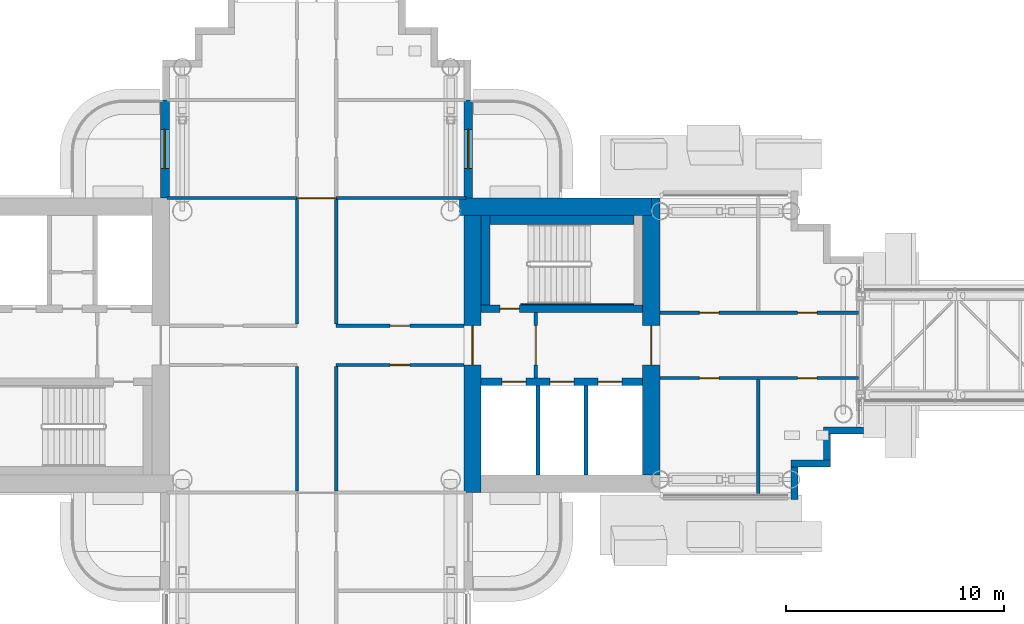
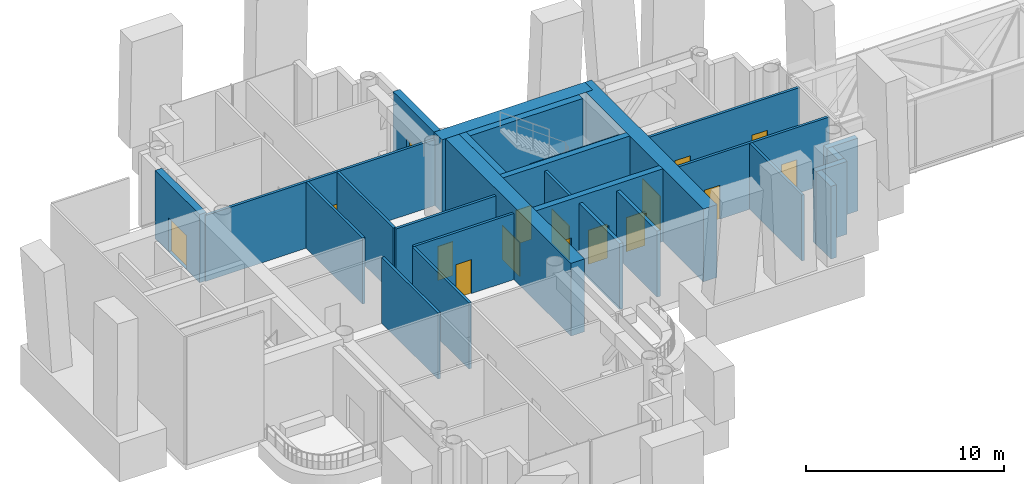
# One storey, part 13 of 26: 27 walls, 16 doors, 16 openings.
"""IFC4 building model written with IfcOpenShell, lengths in metres."""

import ifcopenshell
import ifcopenshell.guid

model = None  # the IFC model being written
_history = None  # IfcOwnerHistory: only IFC2X3 demands one
_inside = {}  # id of a spatial element -> (the spatial element, [elements in it])
_under = {}  # id of a project, library or spatial element -> (it, [spatial elements below it])
_declared = {}  # id of a project -> (the project, [libraries it declares])
_typed = {}  # id of a type object -> (the type object, [elements of that type])
_made_of = {}  # id of a material, layer set ... -> (it, [elements and type objects made of it])


def new_model(schema):
    """Start an empty IFC model of exactly this schema.

    Asked for "IFC4X3", IfcOpenShell would pick the latest addendum, in which some entities
    have other attributes; the version numbers below select the first issue.
    IFC2X3 requires an IfcOwnerHistory on every rooted entity: one is made here for all.
    """
    global model, _history
    if schema == "IFC4X3":
        model = ifcopenshell.file(schema_version=(4, 3, 0, 0))
    else:
        model = ifcopenshell.file(schema=schema)
    _inside.clear()
    _under.clear()
    _declared.clear()
    _typed.clear()
    _made_of.clear()
    _history = None
    if model.schema == "IFC2X3":
        org = make("IfcOrganization", Name="unknown")
        user = make(
            "IfcPersonAndOrganization",
            ThePerson=make("IfcPerson", FamilyName="unknown"),
            TheOrganization=org,
        )
        app = make(
            "IfcApplication",
            ApplicationDeveloper=org,
            Version="unknown",
            ApplicationFullName="unknown",
            ApplicationIdentifier="unknown",
        )
        _history = make(
            "IfcOwnerHistory",
            OwningUser=user,
            OwningApplication=app,
            ChangeAction="ADDED",
            CreationDate=0,
        )
    return model


def make(cls, **values):
    """One entity of the class cls with the attributes given. An attribute that is None is left unset."""
    return model.create_entity(
        cls, **{name: value for name, value in values.items() if value is not None}
    )


def rooted(cls, **values):
    """An entity with a GlobalId (a new one), such as an element, a storey or a relation."""
    return make(cls, GlobalId=ifcopenshell.guid.new(), OwnerHistory=_history, **values)


def si_unit(unit_type, name, prefix=None):
    """IfcSIUnit, for example si_unit("LENGTHUNIT", "METRE", prefix="MILLI")."""
    return make("IfcSIUnit", UnitType=unit_type, Prefix=prefix, Name=name)


def assignment(units):
    """IfcUnitAssignment: the units of a project."""
    return None if units is None else make("IfcUnitAssignment", Units=units)


def point(xyz):
    """IfcCartesianPoint."""
    return None if xyz is None else make("IfcCartesianPoint", Coordinates=xyz)


def direction(xyz):
    """IfcDirection."""
    return None if xyz is None else make("IfcDirection", DirectionRatios=xyz)


def frame(location, z_axis=None, x_axis=None):
    """IfcAxis2Placement3D, a coordinate frame: its origin and axes. An axis left out is left unset."""
    return make(
        "IfcAxis2Placement3D",
        Location=point(location),
        Axis=direction(z_axis),
        RefDirection=direction(x_axis),
    )


def frame_2d(location, x_axis=None):
    """IfcAxis2Placement2D, a coordinate frame in the plane: its origin and x axis."""
    return make(
        "IfcAxis2Placement2D", Location=point(location), RefDirection=direction(x_axis)
    )


def origin():
    """The frame at (0, 0, 0) with its axes left unset."""
    return frame((0.0, 0.0, 0.0))


def place(relative_to, where):
    """IfcLocalPlacement: puts the frame where relative to a parent placement (None: the world)."""
    return make(
        "IfcLocalPlacement", PlacementRelTo=relative_to, RelativePlacement=where
    )


def context(
    kind, dimensions, precision=None, world=None, true_north=None, identifier=None
):
    """IfcGeometricRepresentationContext, for example the 3D "Model" context."""
    return make(
        "IfcGeometricRepresentationContext",
        ContextIdentifier=identifier,
        ContextType=kind,
        CoordinateSpaceDimension=dimensions,
        Precision=precision,
        WorldCoordinateSystem=world,
        TrueNorth=true_north,
    )


def subcontext(parent, identifier, kind, view, scale=None):
    """IfcGeometricRepresentationSubContext, for example "Body" below "Model"."""
    return make(
        "IfcGeometricRepresentationSubContext",
        ContextIdentifier=identifier,
        ContextType=kind,
        ParentContext=parent,
        TargetScale=scale,
        TargetView=view,
    )


def project(units=None, contexts=None):
    """IfcProject with its units and contexts."""
    return rooted(
        "IfcProject",
        Name="project",
        RepresentationContexts=contexts,
        UnitsInContext=assignment(units),
    )


def spatial(cls, under=None, at=None, **own):
    """A site, building, storey or space (cls), placed at a placement, below another one or the project."""
    s = rooted(cls, ObjectPlacement=at, **own)
    if under is not None:
        _under.setdefault(under.id(), (under, []))[1].append(s)
    return s


def profile(cls, at=None, kind="AREA", **sizes):
    """A parametric profile (cls). Its sizes go by their IFC names, for example OverallWidth=200.0."""
    return make(cls, ProfileType=kind, Position=at, **sizes)


def rectangle(**sizes):
    """IfcRectangleProfileDef."""
    return profile("IfcRectangleProfileDef", **sizes)


def extrude(swept, where, along, depth):
    """IfcExtrudedAreaSolid: the profile swept, set in the frame where, extruded along a direction by depth."""
    return make(
        "IfcExtrudedAreaSolid",
        SweptArea=swept,
        Position=where,
        ExtrudedDirection=direction(along),
        Depth=depth,
    )


def shape(context_of_items, identifier, shape_type, items):
    """IfcShapeRepresentation: the items that make up one representation, for example the "Body"."""
    return make(
        "IfcShapeRepresentation",
        ContextOfItems=context_of_items,
        RepresentationIdentifier=identifier,
        RepresentationType=shape_type,
        Items=items,
    )


def material(Name=None, Category=None):
    """IfcMaterial."""
    return make("IfcMaterial", Name=Name, Category=Category)


def layer(
    of_material, thickness, ventilated=None, Name=None, Category=None, Priority=None
):
    """IfcMaterialLayer: one layer of a wall or slab, of a material (None: an air gap)."""
    return make(
        "IfcMaterialLayer",
        Material=of_material,
        LayerThickness=thickness,
        IsVentilated=ventilated,
        Name=Name,
        Category=Category,
        Priority=Priority,
    )


def layer_set(layers, Name=None):
    """IfcMaterialLayerSet."""
    return make("IfcMaterialLayerSet", MaterialLayers=layers, LayerSetName=Name)


def made_of(thing, what):
    """Note that an element or type object is made of a material, layer set ...; save() writes the relation."""
    if what is not None:
        _made_of.setdefault(what.id(), (what, []))[1].append(thing)
    return thing


def type_object(cls, material=None, **own):
    """A type object (cls), such as IfcWallType, which elements share."""
    return made_of(rooted(cls, **own), material)


def element(
    cls,
    number,
    at=None,
    inside=None,
    cuts=None,
    type_object=None,
    material=None,
    context=None,
    identifier="Body",
    shape_type=None,
    held_by="IfcProductDefinitionShape",
    body=None,
    shapes=None,
    **own,
):
    """One element of the class cls, such as IfcWall. Its Tag is "e" and its number.

    at: its placement. inside: the storey or other place that contains it. cuts: it is an
    opening in that element (IfcRelVoidsElement). A single representation is given by context,
    identifier, shape_type and body (its items); several are given by shapes. held_by: the class
    of the entity that holds the representations. save() writes the other relations.
    """
    e = rooted(cls, Tag="e%d" % number, ObjectPlacement=at, **own)
    if body is not None:
        shapes = [shape(context, identifier, shape_type, body)]
    if shapes is not None:
        e.Representation = make(held_by, Representations=shapes)
    if inside is not None:
        _inside.setdefault(inside.id(), (inside, []))[1].append(e)
    if cuts is not None:
        rooted(
            "IfcRelVoidsElement", RelatingBuildingElement=cuts, RelatedOpeningElement=e
        )
    if type_object is not None:
        _typed.setdefault(type_object.id(), (type_object, []))[1].append(e)
    return made_of(e, material)


def fill(opening, filler):
    """IfcRelFillsElement: the door or window that sits in an opening."""
    return rooted(
        "IfcRelFillsElement",
        RelatingOpeningElement=opening,
        RelatedBuildingElement=filler,
    )


def aggregate(whole, parts):
    """IfcRelAggregates: a whole, such as a stair, and the parts it consists of."""
    return rooted("IfcRelAggregates", RelatingObject=whole, RelatedObjects=parts)


def save(model, path):
    """Write the relations noted so far, then the file.

    IfcRelAggregates (storeys below a building ...), IfcRelContainedInSpatialStructure (elements
    in a storey), IfcRelDefinesByType, IfcRelAssociatesMaterial and IfcRelDeclares: one each for
    every whole, place, type object, material and project.
    """
    for whole, parts in _under.values():
        aggregate(whole, parts)
    for where, things in _inside.values():
        rooted(
            "IfcRelContainedInSpatialStructure",
            RelatedElements=things,
            RelatingStructure=where,
        )
    for kind, things in _typed.values():
        rooted("IfcRelDefinesByType", RelatedObjects=things, RelatingType=kind)
    for what, things in _made_of.values():
        rooted("IfcRelAssociatesMaterial", RelatedObjects=things, RelatingMaterial=what)
    for by, libraries in _declared.values():
        rooted("IfcRelDeclares", RelatingContext=by, RelatedDefinitions=libraries)
    model.write(path)


model = new_model("IFC4")

# Units and contexts
model_context = context("Model", 3, precision=1e-05, world=origin(), true_north=direction((0.0, 1.0)))
body_context = subcontext(model_context, "Body", "Model", "MODEL_VIEW")
ifc_project = project(units=[si_unit("LENGTHUNIT", "METRE"), si_unit("AREAUNIT", "SQUARE_METRE"), si_unit("VOLUMEUNIT", "CUBIC_METRE"), si_unit("PLANEANGLEUNIT", "RADIAN"), si_unit("MASSUNIT", "GRAM", prefix="KILO")], contexts=[model_context])

# Site, building, storey
site_placement = place(None, origin())
site = spatial("IfcSite", under=ifc_project, at=site_placement, CompositionType="ELEMENT")
building_placement = place(site_placement, origin())
building = spatial("IfcBuilding", under=site, at=building_placement, Name="Ipe Terrace Towers", CompositionType="ELEMENT")
storey_placement = place(building_placement, frame((0.0, 0.0, 181.300048828125)))
storey = spatial("IfcBuildingStorey", under=building, at=storey_placement, Name="L50", CompositionType="ELEMENT", Elevation=181.300048828125)

# Wall, opening, door
ifc_material_1 = material(Name="Concrete C40/50 with buff precast cladding", Category="concrete")
ifc_layer_1 = layer(ifc_material_1, 0.39990234375)
ifc_layer_set_1 = layer_set([ifc_layer_1], Name="BALCONY BAY WALL 400")
wall_type_1 = type_object("IfcWallType", Name="BALCONY BAY WALL 400", PredefinedType="STANDARD", material=ifc_layer_set_1)
wall_1_placement = place(storey_placement, frame((-29.050048828125, 6.75, -0.02001953125), z_axis=(0.0, 0.0, 1.0), x_axis=(0.0, 1.0, 0.0)))
wall_1 = element("IfcWall", 1, at=wall_1_placement, inside=storey, type_object=wall_type_1, Name="T1-W-L50-28a wall", PredefinedType="STANDARD", context=body_context, shape_type="SweptSolid", body=[
    extrude(rectangle(XDim=4.5, YDim=0.39990234375, at=frame_2d((2.25, 0.0))), origin(), (0.0, 0.0, 1.0), 4.219970703125),
])
opening_1_placement = place(wall_1_placement, frame((1.35009765625, 0.0, 0.02001953125)))
opening_1 = element("IfcOpeningElement", 2, at=opening_1_placement, cuts=wall_1, Name="Opening T1-D-L50-28", PredefinedType="OPENING", context=body_context, shape_type="SweptSolid", body=[
    extrude(rectangle(XDim=1.800048828125, YDim=2.10009765625, at=frame_2d((0.89990234375, 1.050048828125))), frame((0.0, 0.2099609375, 0.0), z_axis=(0.0, -1.0, 0.0), x_axis=(1.0, 0.0, 0.0)), (0.0, 0.0, 1.0), 0.419921875),
])
ifc_material_2 = material(Name="Aluminium alloy 6063-T6 framed glazed door", Category="aluminium")
door_type_1 = type_object("IfcDoorType", Name="BALCONY DOOR 1800 x 2100 LEFT", OperationType="SINGLE_SWING_LEFT", PredefinedType="DOOR", material=ifc_material_2)
door_1_placement = place(opening_1_placement, origin())
door_1 = element("IfcDoor", 3, at=door_1_placement, inside=storey, type_object=door_type_1, Name="DB1 door", OperationType="SINGLE_SWING_LEFT", OverallHeight=2.10009765625, OverallWidth=1.800048828125, PredefinedType="DOOR", context=body_context, shape_type="SweptSolid", body=[
    extrude(rectangle(XDim=1.800048828125, YDim=2.10009765625, at=frame_2d((0.89990234375, 1.050048828125))), frame((0.0, 0.02490234375, 0.0), z_axis=(0.0, -1.0, 0.0), x_axis=(1.0, 0.0, 0.0)), (0.0, 0.0, 1.0), 0.050048828125),
])
fill(opening_1, door_1)

wall_2_placement = place(storey_placement, frame((-42.949951171875, 11.25, -0.02001953125), z_axis=(0.0, 0.0, 1.0), x_axis=(0.0, -1.0, 0.0)))
wall_2 = element("IfcWall", 4, at=wall_2_placement, inside=storey, type_object=wall_type_1, Name="T1-W-L50-40a wall", PredefinedType="STANDARD", context=body_context, shape_type="SweptSolid", body=[
    extrude(rectangle(XDim=4.5, YDim=0.39990234375, at=frame_2d((2.25, 0.0))), origin(), (0.0, 0.0, 1.0), 4.219970703125),
])
opening_2_placement = place(wall_2_placement, frame((1.35009765625, 0.0, 0.02001953125)))
opening_2 = element("IfcOpeningElement", 5, at=opening_2_placement, cuts=wall_2, Name="Opening T1-D-L50-40", PredefinedType="OPENING", context=body_context, shape_type="SweptSolid", body=[
    extrude(rectangle(XDim=1.800048828125, YDim=2.10009765625, at=frame_2d((0.89990234375, 1.050048828125))), frame((0.0, 0.2099609375, 0.0), z_axis=(0.0, -1.0, 0.0), x_axis=(1.0, 0.0, 0.0)), (0.0, 0.0, 1.0), 0.419921875),
])
door_2_placement = place(opening_2_placement, origin())
door_2 = element("IfcDoor", 6, at=door_2_placement, inside=storey, type_object=door_type_1, Name="DB1 door", OperationType="SINGLE_SWING_LEFT", OverallHeight=2.10009765625, OverallWidth=1.800048828125, PredefinedType="DOOR", context=body_context, shape_type="SweptSolid", body=[
    extrude(rectangle(XDim=1.800048828125, YDim=2.10009765625, at=frame_2d((0.89990234375, 1.050048828125))), frame((0.0, 0.02490234375, 0.0), z_axis=(0.0, -1.0, 0.0), x_axis=(1.0, 0.0, 0.0)), (0.0, 0.0, 1.0), 0.050048828125),
])
fill(opening_2, door_2)

# Walls
ifc_material_3 = material(Name="Concrete C40/50 with buff precast cladding", Category="concrete")
ifc_layer_2 = layer(ifc_material_3, 0.320068359375)
ifc_layer_set_2 = layer_set([ifc_layer_2], Name="BUFF CLADDING WALL 320")
wall_type_2 = type_object("IfcWallType", Name="BUFF CLADDING WALL 320", PredefinedType="STANDARD", material=ifc_layer_set_2)
wall_3_placement = place(storey_placement, frame((-14.090087890625, -7.070068359375, -0.300048828125), z_axis=(0.0, 0.0, 1.0), x_axis=(0.0, 1.0, 0.0)))
element("IfcWall", 7, at=wall_3_placement, inside=storey, type_object=wall_type_2, Name="T1-W-L50-17a wall", PredefinedType="STANDARD", context=body_context, shape_type="SweptSolid", body=[
    extrude(rectangle(XDim=1.5, YDim=0.320068359375, at=frame_2d((0.75, 0.0))), origin(), (0.0, 0.0, 1.0), 4.5),
])
wall_4_placement = place(storey_placement, frame((-14.25, -5.409912109375, -0.300048828125), z_axis=(0.0, 0.0, 1.0), x_axis=(1.0, 0.0, 0.0)))
element("IfcWall", 8, at=wall_4_placement, inside=storey, type_object=wall_type_2, Name="T1-W-L50-18a wall", PredefinedType="STANDARD", context=body_context, shape_type="SweptSolid", body=[
    extrude(rectangle(XDim=1.820068359375, YDim=0.320068359375, at=frame_2d((0.91015625, 0.0))), origin(), (0.0, 0.0, 1.0), 4.5),
])
wall_5_placement = place(storey_placement, frame((-12.590087890625, -5.25, -0.300048828125), z_axis=(0.0, 0.0, 1.0), x_axis=(0.0, 1.0, 0.0)))
element("IfcWall", 9, at=wall_5_placement, inside=storey, type_object=wall_type_2, Name="T1-W-L50-19a wall", PredefinedType="STANDARD", context=body_context, shape_type="SweptSolid", body=[
    extrude(rectangle(XDim=1.179931640625, YDim=0.320068359375, at=frame_2d((0.58984375, 0.0))), origin(), (0.0, 0.0, 1.0), 4.5),
])
wall_6_placement = place(storey_placement, frame((-12.75, -3.909912109375, -0.300048828125), z_axis=(0.0, 0.0, 1.0), x_axis=(1.0, 0.0, 0.0)))
element("IfcWall", 10, at=wall_6_placement, inside=storey, type_object=wall_type_2, Name="T1-W-L50-20a wall", PredefinedType="STANDARD", context=body_context, shape_type="SweptSolid", body=[
    extrude(rectangle(XDim=1.820068359375, YDim=0.320068359375, at=frame_2d((0.91015625, 0.0))), origin(), (0.0, 0.0, 1.0), 4.5),
])

# Wall, opening, door
ifc_material_4 = material(Name="Gypsum board partition", Category="plasterboard")
ifc_layer_3 = layer(ifc_material_4, 0.14990234375)
ifc_layer_set_3 = layer_set([ifc_layer_3], Name="Gypsum board partition 150 mm")
wall_type_3 = type_object("IfcWallType", Name="Gypsum board partition 150 mm", PredefinedType="PARTITIONING", material=ifc_layer_set_3)
wall_7_placement = place(storey_placement, frame((-25.949951171875, -1.5, 0.0), z_axis=(0.0, 0.0, 1.0), x_axis=(0.0, 1.0, 0.0)))
wall_7 = element("IfcWall", 11, at=wall_7_placement, inside=storey, type_object=wall_type_3, Name="Gypsum board partition T1 L50 t1c1-lobby-wall", PredefinedType="PARTITIONING", context=body_context, shape_type="SweptSolid", body=[
    extrude(rectangle(XDim=3.0, YDim=0.14990234375, at=frame_2d((1.5, 0.0))), origin(), (0.0, 0.0, 1.0), 4.079833984375),
])
opening_3_placement = place(wall_7_placement, frame((0.60009765625, 0.0, 0.0)))
opening_3 = element("IfcOpeningElement", 12, at=opening_3_placement, cuts=wall_7, Name="Opening T1C1-VD", PredefinedType="OPENING", context=body_context, shape_type="SweptSolid", body=[
    extrude(rectangle(XDim=1.800048828125, YDim=2.10009765625, at=frame_2d((0.89990234375, 1.050048828125))), frame((0.0, 0.0849609375, 0.0), z_axis=(0.0, -1.0, 0.0), x_axis=(1.0, 0.0, 0.0)), (0.0, 0.0, 1.0), 0.169921875),
])
ifc_material_5 = material(Name="Fire-rated timber door leaf", Category="wood")
door_type_2 = type_object("IfcDoorType", Name="Lobby door 1800 x 2100 FD60", OperationType="NOTDEFINED", PredefinedType="DOOR", material=ifc_material_5)
door_3_placement = place(opening_3_placement, origin())
door_3 = element("IfcDoor", 13, at=door_3_placement, inside=storey, type_object=door_type_2, Name="Lobby door T1C1-VD", OperationType="SINGLE_SWING_LEFT", OverallHeight=2.10009765625, OverallWidth=1.800048828125, PredefinedType="DOOR", context=body_context, shape_type="SweptSolid", body=[
    extrude(rectangle(XDim=1.800048828125, YDim=2.10009765625, at=frame_2d((0.89990234375, 1.050048828125))), frame((0.0, 0.02490234375, 0.0), z_axis=(0.0, -1.0, 0.0), x_axis=(1.0, 0.0, 0.0)), (0.0, 0.0, 1.0), 0.050048828125),
])
fill(opening_3, door_3)

wall_8_placement = place(storey_placement, frame((-35.10009765625, 0.89990234375, 0.0), z_axis=(0.0, 0.0, 1.0), x_axis=(1.0, 0.0, 0.0)))
wall_8 = element("IfcWall", 14, at=wall_8_placement, inside=storey, type_object=wall_type_3, Name="Gypsum board partition T1 L50 sp-hub-qen-x", PredefinedType="PARTITIONING", context=body_context, shape_type="SweptSolid", body=[
    extrude(rectangle(XDim=5.85009765625, YDim=0.14990234375, at=frame_2d((2.925048828125, 0.0))), origin(), (0.0, 0.0, 1.0), 4.079833984375),
])
opening_4_placement = place(wall_8_placement, frame((2.47509765625, 0.0, 0.0)))
opening_4 = element("IfcOpeningElement", 15, at=opening_4_placement, cuts=wall_8, Name="Opening T1-SP-HEN", PredefinedType="OPENING", context=body_context, shape_type="SweptSolid", body=[
    extrude(rectangle(XDim=0.89990234375, YDim=2.10009765625, at=frame_2d((0.449951171875, 1.050048828125))), frame((0.0, 0.0849609375, 0.0), z_axis=(0.0, -1.0, 0.0), x_axis=(1.0, 0.0, 0.0)), (0.0, 0.0, 1.0), 0.169921875),
])
ifc_material_6 = material(Name="Fire-rated timber door leaf", Category="wood")
door_type_3 = type_object("IfcDoorType", Name="Lounge door 900 x 2100 FD30S", OperationType="NOTDEFINED", PredefinedType="DOOR", material=ifc_material_6)
door_4_placement = place(opening_4_placement, origin())
door_4 = element("IfcDoor", 16, at=door_4_placement, inside=storey, type_object=door_type_3, Name="Lounge door T1-SP-HEN", OperationType="SINGLE_SWING_LEFT", OverallHeight=2.10009765625, OverallWidth=0.89990234375, PredefinedType="DOOR", context=body_context, shape_type="SweptSolid", body=[
    extrude(rectangle(XDim=0.89990234375, YDim=2.10009765625, at=frame_2d((0.449951171875, 1.050048828125))), frame((0.0, 0.02490234375, 0.0), z_axis=(0.0, -1.0, 0.0), x_axis=(1.0, 0.0, 0.0)), (0.0, 0.0, 1.0), 0.050048828125),
])
fill(opening_4, door_4)

# Wall
wall_9_placement = place(storey_placement, frame((-35.10009765625, 0.97509765625, 0.0), z_axis=(0.0, 0.0, 1.0), x_axis=(0.0, 1.0, 0.0)))
element("IfcWall", 17, at=wall_9_placement, inside=storey, type_object=wall_type_3, Name="Gypsum board partition T1 L50 sp-hub-qen-y", PredefinedType="PARTITIONING", context=body_context, shape_type="SweptSolid", body=[
    extrude(rectangle(XDim=5.699951171875, YDim=0.14990234375, at=frame_2d((2.85009765625, 0.0))), origin(), (0.0, 0.0, 1.0), 4.079833984375),
])

# Wall, opening, door
wall_10_placement = place(storey_placement, frame((-35.10009765625, -0.89990234375, 0.0), z_axis=(0.0, 0.0, 1.0), x_axis=(1.0, 0.0, 0.0)))
wall_10 = element("IfcWall", 18, at=wall_10_placement, inside=storey, type_object=wall_type_3, Name="Gypsum board partition T1 L50 sp-hub-qes-x", PredefinedType="PARTITIONING", context=body_context, shape_type="SweptSolid", body=[
    extrude(rectangle(XDim=5.85009765625, YDim=0.14990234375, at=frame_2d((2.925048828125, 0.0))), origin(), (0.0, 0.0, 1.0), 4.079833984375),
])
opening_5_placement = place(wall_10_placement, frame((2.47509765625, 0.0, 0.0)))
opening_5 = element("IfcOpeningElement", 19, at=opening_5_placement, cuts=wall_10, Name="Opening T1-SP-HES", PredefinedType="OPENING", context=body_context, shape_type="SweptSolid", body=[
    extrude(rectangle(XDim=0.89990234375, YDim=2.10009765625, at=frame_2d((0.449951171875, 1.050048828125))), frame((0.0, 0.0849609375, 0.0), z_axis=(0.0, -1.0, 0.0), x_axis=(1.0, 0.0, 0.0)), (0.0, 0.0, 1.0), 0.169921875),
])
door_5_placement = place(opening_5_placement, origin())
door_5 = element("IfcDoor", 20, at=door_5_placement, inside=storey, type_object=door_type_3, Name="Lounge door T1-SP-HES", OperationType="SINGLE_SWING_RIGHT", OverallHeight=2.10009765625, OverallWidth=0.89990234375, PredefinedType="DOOR", context=body_context, shape_type="SweptSolid", body=[
    extrude(rectangle(XDim=0.89990234375, YDim=2.10009765625, at=frame_2d((0.449951171875, 1.050048828125))), frame((0.0, 0.02490234375, 0.0), z_axis=(0.0, -1.0, 0.0), x_axis=(1.0, 0.0, 0.0)), (0.0, 0.0, 1.0), 0.050048828125),
])
fill(opening_5, door_5)

# Walls
for number, where, z_axis, x_axis, name in (
    (21, (-35.10009765625, -6.675048828125, 0.0), (0.0, 0.0, 1.0), (0.0, 1.0, 0.0), "Gypsum board partition T1 L50 sp-hub-qes-y"),
    (22, (-36.89990234375, 0.97509765625, 0.0), (0.0, 0.0, 1.0), (0.0, 1.0, 0.0), "Gypsum board partition T1 L50 sp-hub-qwn-y"),
    (23, (-36.89990234375, -6.675048828125, 0.0), (0.0, 0.0, 1.0), (0.0, 1.0, 0.0), "Gypsum board partition T1 L50 sp-hub-qws-y"),
):
    element("IfcWall", number, at=place(storey_placement, frame(where, z_axis=z_axis, x_axis=x_axis)), inside=storey, type_object=wall_type_3, Name=name, PredefinedType="PARTITIONING", context=body_context, shape_type="SweptSolid", body=[
        extrude(rectangle(XDim=5.699951171875, YDim=0.14990234375, at=frame_2d((2.85009765625, 0.0))), origin(), (0.0, 0.0, 1.0), 4.079833984375),
    ])

# Wall, openings, doors
wall_11_placement = place(storey_placement, frame((-20.25, 1.5, 0.0), z_axis=(0.0, 0.0, 1.0), x_axis=(1.0, 0.0, 0.0)))
wall_11 = element("IfcWall", 24, at=wall_11_placement, inside=storey, type_object=wall_type_3, Name="Gypsum board partition T1 L50 sp-Lp-wp", PredefinedType="PARTITIONING", context=body_context, shape_type="SweptSolid", body=[
    extrude(rectangle(XDim=9.10009765625, YDim=0.14990234375, at=frame_2d((4.550048828125, 0.0))), origin(), (0.0, 0.0, 1.0), 4.079833984375),
])
opening_6_placement = place(wall_11_placement, frame((1.800048828125, 0.0, 0.0)))
opening_6 = element("IfcOpeningElement", 25, at=opening_6_placement, cuts=wall_11, Name="Opening T1-SP-PLp1", PredefinedType="OPENING", context=body_context, shape_type="SweptSolid", body=[
    extrude(rectangle(XDim=0.89990234375, YDim=2.10009765625, at=frame_2d((0.449951171875, 1.050048828125))), frame((0.0, 0.0849609375, 0.0), z_axis=(0.0, -1.0, 0.0), x_axis=(1.0, 0.0, 0.0)), (0.0, 0.0, 1.0), 0.169921875),
])
opening_7_placement = place(wall_11_placement, frame((6.300048828125, 0.0, 0.0)))
opening_7 = element("IfcOpeningElement", 26, at=opening_7_placement, cuts=wall_11, Name="Opening T1-SP-PLp2", PredefinedType="OPENING", context=body_context, shape_type="SweptSolid", body=[
    extrude(rectangle(XDim=0.89990234375, YDim=2.10009765625, at=frame_2d((0.449951171875, 1.050048828125))), frame((0.0, 0.0849609375, 0.0), z_axis=(0.0, -1.0, 0.0), x_axis=(1.0, 0.0, 0.0)), (0.0, 0.0, 1.0), 0.169921875),
])
door_6_placement = place(opening_6_placement, origin())
door_6 = element("IfcDoor", 27, at=door_6_placement, inside=storey, type_object=door_type_3, Name="Lounge door T1-SP-PLp1", OperationType="SINGLE_SWING_RIGHT", OverallHeight=2.10009765625, OverallWidth=0.89990234375, PredefinedType="DOOR", context=body_context, shape_type="SweptSolid", body=[
    extrude(rectangle(XDim=0.89990234375, YDim=2.10009765625, at=frame_2d((0.449951171875, 1.050048828125))), frame((0.0, 0.02490234375, 0.0), z_axis=(0.0, -1.0, 0.0), x_axis=(1.0, 0.0, 0.0)), (0.0, 0.0, 1.0), 0.050048828125),
])
fill(opening_6, door_6)
door_7_placement = place(opening_7_placement, origin())
door_7 = element("IfcDoor", 28, at=door_7_placement, inside=storey, type_object=door_type_3, Name="Lounge door T1-SP-PLp2", OperationType="SINGLE_SWING_LEFT", OverallHeight=2.10009765625, OverallWidth=0.89990234375, PredefinedType="DOOR", context=body_context, shape_type="SweptSolid", body=[
    extrude(rectangle(XDim=0.89990234375, YDim=2.10009765625, at=frame_2d((0.449951171875, 1.050048828125))), frame((0.0, 0.02490234375, 0.0), z_axis=(0.0, -1.0, 0.0), x_axis=(1.0, 0.0, 0.0)), (0.0, 0.0, 1.0), 0.050048828125),
])
fill(opening_7, door_7)

wall_12_placement = place(storey_placement, frame((-20.25, -1.5, 0.0), z_axis=(0.0, 0.0, 1.0), x_axis=(1.0, 0.0, 0.0)))
wall_12 = element("IfcWall", 29, at=wall_12_placement, inside=storey, type_object=wall_type_3, Name="Gypsum board partition T1 L50 sp-Lp-wm", PredefinedType="PARTITIONING", context=body_context, shape_type="SweptSolid", body=[
    extrude(rectangle(XDim=9.10009765625, YDim=0.14990234375, at=frame_2d((4.550048828125, 0.0))), origin(), (0.0, 0.0, 1.0), 4.079833984375),
])
opening_8_placement = place(wall_12_placement, frame((1.800048828125, 0.0, 0.0)))
opening_8 = element("IfcOpeningElement", 30, at=opening_8_placement, cuts=wall_12, Name="Opening T1-SP-MLp1", PredefinedType="OPENING", context=body_context, shape_type="SweptSolid", body=[
    extrude(rectangle(XDim=0.89990234375, YDim=2.10009765625, at=frame_2d((0.449951171875, 1.050048828125))), frame((0.0, 0.0849609375, 0.0), z_axis=(0.0, -1.0, 0.0), x_axis=(1.0, 0.0, 0.0)), (0.0, 0.0, 1.0), 0.169921875),
])
opening_9_placement = place(wall_12_placement, frame((6.300048828125, 0.0, 0.0)))
opening_9 = element("IfcOpeningElement", 31, at=opening_9_placement, cuts=wall_12, Name="Opening T1-SP-MLp2", PredefinedType="OPENING", context=body_context, shape_type="SweptSolid", body=[
    extrude(rectangle(XDim=0.89990234375, YDim=2.10009765625, at=frame_2d((0.449951171875, 1.050048828125))), frame((0.0, 0.0849609375, 0.0), z_axis=(0.0, -1.0, 0.0), x_axis=(1.0, 0.0, 0.0)), (0.0, 0.0, 1.0), 0.169921875),
])
ifc_material_7 = material(Name="Timber door leaf", Category="wood")
door_type_4 = type_object("IfcDoorType", Name="Lounge door 900 x 2100", OperationType="NOTDEFINED", PredefinedType="DOOR", material=ifc_material_7)
door_8_placement = place(opening_9_placement, origin())
door_8 = element("IfcDoor", 32, at=door_8_placement, inside=storey, type_object=door_type_4, Name="Lounge door T1-SP-MLp2", OperationType="SINGLE_SWING_RIGHT", OverallHeight=2.10009765625, OverallWidth=0.89990234375, PredefinedType="DOOR", context=body_context, shape_type="SweptSolid", body=[
    extrude(rectangle(XDim=0.89990234375, YDim=2.10009765625, at=frame_2d((0.449951171875, 1.050048828125))), frame((0.0, 0.02490234375, 0.0), z_axis=(0.0, -1.0, 0.0), x_axis=(1.0, 0.0, 0.0)), (0.0, 0.0, 1.0), 0.050048828125),
])
fill(opening_9, door_8)
door_9_placement = place(opening_8_placement, origin())
door_9 = element("IfcDoor", 33, at=door_9_placement, inside=storey, type_object=door_type_3, Name="Lounge door T1-SP-MLp1", OperationType="SINGLE_SWING_LEFT", OverallHeight=2.10009765625, OverallWidth=0.89990234375, PredefinedType="DOOR", context=body_context, shape_type="SweptSolid", body=[
    extrude(rectangle(XDim=0.89990234375, YDim=2.10009765625, at=frame_2d((0.449951171875, 1.050048828125))), frame((0.0, 0.02490234375, 0.0), z_axis=(0.0, -1.0, 0.0), x_axis=(1.0, 0.0, 0.0)), (0.0, 0.0, 1.0), 0.050048828125),
])
fill(opening_8, door_9)

# Wall
wall_13_placement = place(storey_placement, frame((-15.75, -1.574951171875, 0.0), z_axis=(0.0, 0.0, 1.0), x_axis=(0.0, -1.0, 0.0)))
element("IfcWall", 34, at=wall_13_placement, inside=storey, type_object=wall_type_3, Name="Gypsum board partition T1 L50 sp-Lp-dm1", PredefinedType="PARTITIONING", context=body_context, shape_type="SweptSolid", body=[
    extrude(rectangle(XDim=5.275146484375, YDim=0.14990234375, at=frame_2d((2.6376953125, 0.0))), origin(), (0.0, 0.0, 1.0), 4.079833984375),
])

# Wall, opening, door
wall_14_placement = place(storey_placement, frame((-42.85009765625, 6.75, 0.0), z_axis=(0.0, 0.0, 1.0), x_axis=(1.0, 0.0, 0.0)))
wall_14 = element("IfcWall", 35, at=wall_14_placement, inside=storey, type_object=wall_type_3, Name="Gypsum board partition T1 L50 sp-Sp-mouth", PredefinedType="PARTITIONING", context=body_context, shape_type="SweptSolid", body=[
    extrude(rectangle(XDim=13.7001953125, YDim=0.14990234375, at=frame_2d((6.85009765625, 0.0))), origin(), (0.0, 0.0, 1.0), 4.079833984375),
])
opening_10_placement = place(wall_14_placement, frame((5.949951171875, 0.0, 0.0)))
opening_10 = element("IfcOpeningElement", 36, at=opening_10_placement, cuts=wall_14, Name="Opening T1-SP-MSp", PredefinedType="OPENING", context=body_context, shape_type="SweptSolid", body=[
    extrude(rectangle(XDim=1.800048828125, YDim=2.10009765625, at=frame_2d((0.89990234375, 1.050048828125))), frame((0.0, 0.0849609375, 0.0), z_axis=(0.0, -1.0, 0.0), x_axis=(1.0, 0.0, 0.0)), (0.0, 0.0, 1.0), 0.169921875),
])
ifc_material_8 = material(Name="Fire-rated timber door leaf", Category="wood")
door_type_5 = type_object("IfcDoorType", Name="Lobby door 1800 x 2100 FD30S", OperationType="NOTDEFINED", PredefinedType="DOOR", material=ifc_material_8)
door_10_placement = place(opening_10_placement, origin())
door_10 = element("IfcDoor", 37, at=door_10_placement, inside=storey, type_object=door_type_5, Name="Lobby door T1-SP-MSp", OperationType="SINGLE_SWING_LEFT", OverallHeight=2.10009765625, OverallWidth=1.800048828125, PredefinedType="DOOR", context=body_context, shape_type="SweptSolid", body=[
    extrude(rectangle(XDim=1.800048828125, YDim=2.10009765625, at=frame_2d((0.89990234375, 1.050048828125))), frame((0.0, 0.02490234375, 0.0), z_axis=(0.0, -1.0, 0.0), x_axis=(1.0, 0.0, 0.0)), (0.0, 0.0, 1.0), 0.050048828125),
])
fill(opening_10, door_10)

# Walls
ifc_material_9 = material(Name="Gypsum board party wall", Category="plasterboard")
ifc_layer_4 = layer(ifc_material_9, 0.199951171875)
ifc_layer_set_4 = layer_set([ifc_layer_4], Name="Gypsum board party wall 200 mm")
wall_type_4 = type_object("IfcWallType", Name="Gypsum board party wall 200 mm", PredefinedType="SOLIDWALL", material=ifc_layer_set_4)
for number, where, z_axis, x_axis, name in (
    (38, (-25.85009765625, -5.949951171875, 0.0), (0.0, 0.0, 1.0), (0.0, 1.0, 0.0), "Gypsum board party wall T1 L50 t1c1-shaft-div1"),
    (39, (-23.64990234375, -5.949951171875, 0.0), (0.0, 0.0, 1.0), (0.0, 1.0, 0.0), "Gypsum board party wall T1 L50 t1c1-shaft-div2"),
):
    element("IfcWall", number, at=place(storey_placement, frame(where, z_axis=z_axis, x_axis=x_axis)), inside=storey, type_object=wall_type_4, Name=name, PredefinedType="SOLIDWALL", context=body_context, shape_type="SweptSolid", body=[
        extrude(rectangle(XDim=4.099853515625, YDim=0.199951171875, at=frame_2d((2.0498046875, 0.0))), origin(), (0.0, 0.0, 1.0), 4.079833984375),
    ])

# Wall, openings, doors
ifc_material_10 = material(Name="Concrete C50/60", Category="concrete")
ifc_layer_5 = layer(ifc_material_10, 0.35009765625)
ifc_layer_set_5 = layer_set([ifc_layer_5], Name="RW350 CORE SPINE WALL 350 C50-60")
wall_type_5 = type_object("IfcWallType", Name="RW350 CORE SPINE WALL 350 C50-60", PredefinedType="SHEAR", material=ifc_layer_set_5)
wall_15_placement = place(storey_placement, frame((-28.449951171875, -1.675048828125, 0.0), z_axis=(0.0, 0.0, 1.0), x_axis=(1.0, 0.0, 0.0)))
wall_15 = element("IfcWall", 40, at=wall_15_placement, inside=storey, type_object=wall_type_5, Name="Core spine wall T1-C1-Z3-SW1", PredefinedType="SHEAR", context=body_context, shape_type="SweptSolid", body=[
    extrude(rectangle(XDim=7.39990234375, YDim=0.35009765625, at=frame_2d((3.699951171875, 0.0))), origin(), (0.0, 0.0, 1.0), 4.5),
])
opening_11_placement = place(wall_15_placement, frame((0.949951171875, 0.0, 0.0)))
opening_11 = element("IfcOpeningElement", 41, at=opening_11_placement, cuts=wall_15, Name="Opening T1C1-LD1", PredefinedType="OPENING", context=body_context, shape_type="SweptSolid", body=[
    extrude(rectangle(XDim=1.10009765625, YDim=2.10009765625, at=frame_2d((0.550048828125, 1.050048828125))), frame((0.0, 0.18505859375, 0.0), z_axis=(0.0, -1.0, 0.0), x_axis=(1.0, 0.0, 0.0)), (0.0, 0.0, 1.0), 0.3701171875),
])
opening_12_placement = place(wall_15_placement, frame((3.14990234375, 0.0, 0.0)))
opening_12 = element("IfcOpeningElement", 42, at=opening_12_placement, cuts=wall_15, Name="Opening T1C1-LD2", PredefinedType="OPENING", context=body_context, shape_type="SweptSolid", body=[
    extrude(rectangle(XDim=1.10009765625, YDim=2.10009765625, at=frame_2d((0.550048828125, 1.050048828125))), frame((0.0, 0.18505859375, 0.0), z_axis=(0.0, -1.0, 0.0), x_axis=(1.0, 0.0, 0.0)), (0.0, 0.0, 1.0), 0.3701171875),
])
opening_13_placement = place(wall_15_placement, frame((5.35009765625, 0.0, 0.0)))
opening_13 = element("IfcOpeningElement", 43, at=opening_13_placement, cuts=wall_15, Name="Opening T1C1-LD3", PredefinedType="OPENING", context=body_context, shape_type="SweptSolid", body=[
    extrude(rectangle(XDim=1.10009765625, YDim=2.10009765625, at=frame_2d((0.550048828125, 1.050048828125))), frame((0.0, 0.18505859375, 0.0), z_axis=(0.0, -1.0, 0.0), x_axis=(1.0, 0.0, 0.0)), (0.0, 0.0, 1.0), 0.3701171875),
])
ifc_material_11 = material(Name="Fire-rated timber door leaf", Category="wood")
door_type_6 = type_object("IfcDoorType", Name="Sliding door 1100 x 2100 FD60", OperationType="SLIDING_TO_LEFT", PredefinedType="DOOR", material=ifc_material_11)
door_11_placement = place(opening_11_placement, origin())
door_11 = element("IfcDoor", 44, at=door_11_placement, inside=storey, type_object=door_type_6, Name="Sliding door T1C1-LD1", OperationType="SLIDING_TO_LEFT", OverallHeight=2.10009765625, OverallWidth=1.10009765625, PredefinedType="DOOR", context=body_context, shape_type="SweptSolid", body=[
    extrude(rectangle(XDim=1.10009765625, YDim=2.10009765625, at=frame_2d((0.550048828125, 1.050048828125))), frame((0.0, 0.02490234375, 0.0), z_axis=(0.0, -1.0, 0.0), x_axis=(1.0, 0.0, 0.0)), (0.0, 0.0, 1.0), 0.050048828125),
])
fill(opening_11, door_11)
door_12_placement = place(opening_12_placement, origin())
door_12 = element("IfcDoor", 45, at=door_12_placement, inside=storey, type_object=door_type_6, Name="Sliding door T1C1-LD2", OperationType="SLIDING_TO_LEFT", OverallHeight=2.10009765625, OverallWidth=1.10009765625, PredefinedType="DOOR", context=body_context, shape_type="SweptSolid", body=[
    extrude(rectangle(XDim=1.10009765625, YDim=2.10009765625, at=frame_2d((0.550048828125, 1.050048828125))), frame((0.0, 0.02490234375, 0.0), z_axis=(0.0, -1.0, 0.0), x_axis=(1.0, 0.0, 0.0)), (0.0, 0.0, 1.0), 0.050048828125),
])
fill(opening_12, door_12)
door_13_placement = place(opening_13_placement, origin())
door_13 = element("IfcDoor", 46, at=door_13_placement, inside=storey, type_object=door_type_6, Name="Sliding door T1C1-LD3", OperationType="SLIDING_TO_LEFT", OverallHeight=2.10009765625, OverallWidth=1.10009765625, PredefinedType="DOOR", context=body_context, shape_type="SweptSolid", body=[
    extrude(rectangle(XDim=1.10009765625, YDim=2.10009765625, at=frame_2d((0.550048828125, 1.050048828125))), frame((0.0, 0.02490234375, 0.0), z_axis=(0.0, -1.0, 0.0), x_axis=(1.0, 0.0, 0.0)), (0.0, 0.0, 1.0), 0.050048828125),
])
fill(opening_13, door_13)

# Wall, opening, door
wall_16_placement = place(storey_placement, frame((-28.449951171875, 1.675048828125, 0.0), z_axis=(0.0, 0.0, 1.0), x_axis=(1.0, 0.0, 0.0)))
wall_16 = element("IfcWall", 47, at=wall_16_placement, inside=storey, type_object=wall_type_5, Name="Core spine wall T1-C1-Z3-SW2", PredefinedType="SHEAR", context=body_context, shape_type="SweptSolid", body=[
    extrude(rectangle(XDim=7.39990234375, YDim=0.35009765625, at=frame_2d((3.699951171875, 0.0))), origin(), (0.0, 0.0, 1.0), 4.5),
])
opening_14_placement = place(wall_16_placement, frame((0.85009765625, 0.0, 0.0)))
opening_14 = element("IfcOpeningElement", 48, at=opening_14_placement, cuts=wall_16, Name="Opening T1C1-SD", PredefinedType="OPENING", context=body_context, shape_type="SweptSolid", body=[
    extrude(rectangle(XDim=0.89990234375, YDim=2.10009765625, at=frame_2d((0.449951171875, 1.050048828125))), frame((0.0, 0.18505859375, 0.0), z_axis=(0.0, -1.0, 0.0), x_axis=(1.0, 0.0, 0.0)), (0.0, 0.0, 1.0), 0.3701171875),
])
ifc_material_12 = material(Name="Fire-rated timber door leaf", Category="wood")
door_type_7 = type_object("IfcDoorType", Name="Stair door 900 x 2100 FD60", OperationType="NOTDEFINED", PredefinedType="DOOR", material=ifc_material_12)
door_14_placement = place(opening_14_placement, origin())
door_14 = element("IfcDoor", 49, at=door_14_placement, inside=storey, type_object=door_type_7, Name="Stair door T1C1-SD", OperationType="SINGLE_SWING_LEFT", OverallHeight=2.10009765625, OverallWidth=0.89990234375, PredefinedType="DOOR", context=body_context, shape_type="SweptSolid", body=[
    extrude(rectangle(XDim=0.89990234375, YDim=2.10009765625, at=frame_2d((0.449951171875, 1.050048828125))), frame((0.0, 0.02490234375, 0.0), z_axis=(0.0, -1.0, 0.0), x_axis=(1.0, 0.0, 0.0)), (0.0, 0.0, 1.0), 0.050048828125),
])
fill(opening_14, door_14)

# Walls
ifc_material_13 = material(Name="Concrete C50/60", Category="concrete")
ifc_layer_6 = layer(ifc_material_13, 0.39990234375)
ifc_layer_set_6 = layer_set([ifc_layer_6], Name="RW400 CORE INFILL WALL 400 C50-60")
wall_type_6 = type_object("IfcWallType", Name="RW400 CORE INFILL WALL 400 C50-60", PredefinedType="SHEAR", material=ifc_layer_set_6)
wall_17_placement = place(storey_placement, frame((-28.050048828125, 5.75, 0.0), z_axis=(0.0, 0.0, 1.0), x_axis=(1.0, 0.0, 0.0)))
element("IfcWall", 50, at=wall_17_placement, inside=storey, type_object=wall_type_6, Name="Core infill wall T1-C1-back", PredefinedType="SHEAR", context=body_context, shape_type="SweptSolid", body=[
    extrude(rectangle(XDim=6.60009765625, YDim=0.39990234375, at=frame_2d((3.300048828125, 0.0))), origin(), (0.0, 0.0, 1.0), 4.5),
])
wall_18_placement = place(storey_placement, frame((-28.25, 1.85009765625, 0.0), z_axis=(0.0, 0.0, 1.0), x_axis=(0.0, 1.0, 0.0)))
element("IfcWall", 51, at=wall_18_placement, inside=storey, type_object=wall_type_6, Name="Core infill wall T1-C1-near", PredefinedType="SHEAR", context=body_context, shape_type="SweptSolid", body=[
    extrude(rectangle(XDim=4.099853515625, YDim=0.39990234375, at=frame_2d((2.0498046875, 0.0))), origin(), (0.0, 0.0, 1.0), 4.5),
])
ifc_material_14 = material(Name="Concrete C50/60", Category="concrete")
ifc_layer_7 = layer(ifc_material_14, 0.050048828125)
ifc_layer_set_7 = layer_set([ifc_layer_7], Name="RW50 CORE INFILL WALL 50 C50-60")
wall_type_7 = type_object("IfcWallType", Name="RW50 CORE INFILL WALL 50 C50-60", PredefinedType="SHEAR", material=ifc_layer_set_7)
wall_19_placement = place(storey_placement, frame((-26.64990234375, 1.875, 0.0), z_axis=(0.0, 0.0, 1.0), x_axis=(1.0, 0.0, 0.0)))
element("IfcWall", 52, at=wall_19_placement, inside=storey, type_object=wall_type_7, Name="Core infill wall T1-C1-spine-b", PredefinedType="SHEAR", context=body_context, shape_type="SweptSolid", body=[
    extrude(rectangle(XDim=5.199951171875, YDim=0.050048828125, at=frame_2d((2.60009765625, 0.0))), origin(), (0.0, 0.0, 1.0), 4.5),
])

# Wall, opening, door
ifc_material_15 = material(Name="Concrete C50/60", Category="concrete")
ifc_layer_8 = layer(ifc_material_15, 0.800048828125)
ifc_layer_set_8 = layer_set([ifc_layer_8], Name="RW800 CORE WALL 800 C50-60")
wall_type_8 = type_object("IfcWallType", Name="RW800 CORE WALL 800 C50-60", PredefinedType="SHEAR", material=ifc_layer_set_8)
wall_20_placement = place(storey_placement, frame((-20.64990234375, -5.949951171875, 0.0), z_axis=(0.0, 0.0, 1.0), x_axis=(0.0, 1.0, 0.0)))
wall_20 = element("IfcWall", 53, at=wall_20_placement, inside=storey, type_object=wall_type_8, Name="Core wall T1-C1-Z3-W02", PredefinedType="SHEAR", context=body_context, shape_type="SweptSolid", body=[
    extrude(rectangle(XDim=12.699951171875, YDim=0.800048828125, at=frame_2d((6.35009765625, 0.0))), origin(), (0.0, 0.0, 1.0), 4.5),
])
opening_15_placement = place(wall_20_placement, frame((5.050048828125, 0.0, 0.0)))
opening_15 = element("IfcOpeningElement", 54, at=opening_15_placement, cuts=wall_20, Name="Opening T1C1-FD", PredefinedType="OPENING", context=body_context, shape_type="SweptSolid", body=[
    extrude(rectangle(XDim=1.800048828125, YDim=2.10009765625, at=frame_2d((0.89990234375, 1.050048828125))), frame((0.0, 0.41015625, 0.0), z_axis=(0.0, -1.0, 0.0), x_axis=(1.0, 0.0, 0.0)), (0.0, 0.0, 1.0), 0.820068359375),
])
ifc_material_16 = material(Name="Fire-rated timber door leaf", Category="wood")
door_type_8 = type_object("IfcDoorType", Name="Fire door 1800 x 2100 FD30S", OperationType="NOTDEFINED", PredefinedType="DOOR", material=ifc_material_16)
door_15_placement = place(opening_15_placement, origin())
door_15 = element("IfcDoor", 55, at=door_15_placement, inside=storey, type_object=door_type_8, Name="Fire door T1C1-FD", OperationType="SINGLE_SWING_LEFT", OverallHeight=2.10009765625, OverallWidth=1.800048828125, PredefinedType="DOOR", context=body_context, shape_type="SweptSolid", body=[
    extrude(rectangle(XDim=1.800048828125, YDim=2.10009765625, at=frame_2d((0.89990234375, 1.050048828125))), frame((0.0, 0.02490234375, 0.0), z_axis=(0.0, -1.0, 0.0), x_axis=(1.0, 0.0, 0.0)), (0.0, 0.0, 1.0), 0.050048828125),
])
fill(opening_15, door_15)

# Wall
wall_21_placement = place(storey_placement, frame((-20.652099609375, 6.35009765625, 0.0), z_axis=(0.0, 0.0, 1.0), x_axis=(-1.0, 0.0, 0.0)))
element("IfcWall", 56, at=wall_21_placement, inside=storey, type_object=wall_type_8, Name="Core wall T1-C1-Z3-W03", PredefinedType="SHEAR", context=body_context, shape_type="SweptSolid", body=[
    extrude(rectangle(XDim=8.7958984375, YDim=0.800048828125, at=frame_2d((4.39794921875, 0.0))), origin(), (0.0, 0.0, 1.0), 4.5),
])

# Wall, opening, door
wall_22_placement = place(storey_placement, frame((-28.85009765625, 5.949951171875, 0.0), z_axis=(0.0, 0.0, 1.0), x_axis=(0.0, -1.0, 0.0)))
wall_22 = element("IfcWall", 57, at=wall_22_placement, inside=storey, type_object=wall_type_8, Name="Core wall T1-C1-Z3-W04", PredefinedType="SHEAR", context=body_context, shape_type="SweptSolid", body=[
    extrude(rectangle(XDim=12.699951171875, YDim=0.800048828125, at=frame_2d((6.35009765625, 0.0))), origin(), (0.0, 0.0, 1.0), 4.5),
])
opening_16_placement = place(wall_22_placement, frame((5.050048828125, 0.0, 0.0)))
opening_16 = element("IfcOpeningElement", 58, at=opening_16_placement, cuts=wall_22, Name="Opening T1C1-ND", PredefinedType="OPENING", context=body_context, shape_type="SweptSolid", body=[
    extrude(rectangle(XDim=1.800048828125, YDim=2.10009765625, at=frame_2d((0.89990234375, 1.050048828125))), frame((0.0, 0.41015625, 0.0), z_axis=(0.0, -1.0, 0.0), x_axis=(1.0, 0.0, 0.0)), (0.0, 0.0, 1.0), 0.820068359375),
])
door_16_placement = place(opening_16_placement, origin())
door_16 = element("IfcDoor", 59, at=door_16_placement, inside=storey, type_object=door_type_8, Name="Fire door T1C1-ND", OperationType="SINGLE_SWING_LEFT", OverallHeight=2.10009765625, OverallWidth=1.800048828125, PredefinedType="DOOR", context=body_context, shape_type="SweptSolid", body=[
    extrude(rectangle(XDim=1.800048828125, YDim=2.10009765625, at=frame_2d((0.89990234375, 1.050048828125))), frame((0.0, 0.02490234375, 0.0), z_axis=(0.0, -1.0, 0.0), x_axis=(1.0, 0.0, 0.0)), (0.0, 0.0, 1.0), 0.050048828125),
])
fill(opening_16, door_16)

save(model, "model.ifc")
